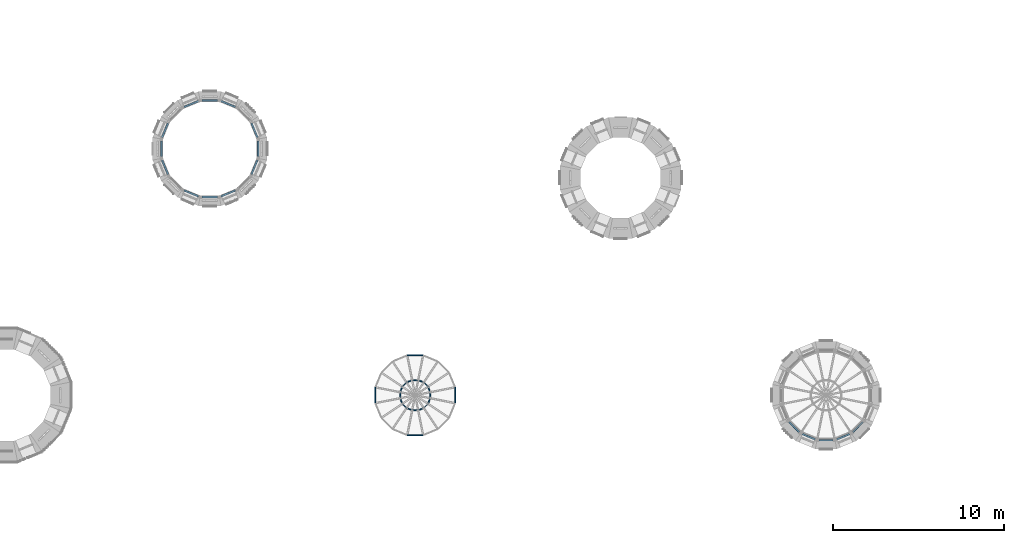
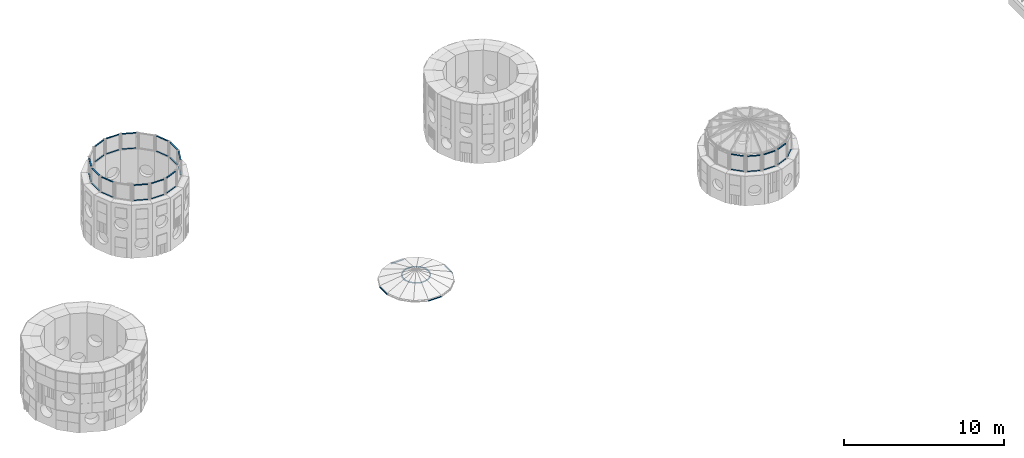
# One storey, part 19 of 42: 53 members, 17 elements without a shape of their own.
"""IFC4 building model written with IfcOpenShell, lengths in metres."""

import ifcopenshell
import ifcopenshell.guid

model = None  # the IFC model being written
_history = None  # IfcOwnerHistory: only IFC2X3 demands one
_inside = {}  # id of a spatial element -> (the spatial element, [elements in it])
_under = {}  # id of a project, library or spatial element -> (it, [spatial elements below it])
_declared = {}  # id of a project -> (the project, [libraries it declares])
_typed = {}  # id of a type object -> (the type object, [elements of that type])
_made_of = {}  # id of a material, layer set ... -> (it, [elements and type objects made of it])


def new_model(schema):
    """Start an empty IFC model of exactly this schema.

    Asked for "IFC4X3", IfcOpenShell would pick the latest addendum, in which some entities
    have other attributes; the version numbers below select the first issue.
    IFC2X3 requires an IfcOwnerHistory on every rooted entity: one is made here for all.
    """
    global model, _history
    if schema == "IFC4X3":
        model = ifcopenshell.file(schema_version=(4, 3, 0, 0))
    else:
        model = ifcopenshell.file(schema=schema)
    _inside.clear()
    _under.clear()
    _declared.clear()
    _typed.clear()
    _made_of.clear()
    _history = None
    if model.schema == "IFC2X3":
        org = make("IfcOrganization", Name="unknown")
        user = make(
            "IfcPersonAndOrganization",
            ThePerson=make("IfcPerson", FamilyName="unknown"),
            TheOrganization=org,
        )
        app = make(
            "IfcApplication",
            ApplicationDeveloper=org,
            Version="unknown",
            ApplicationFullName="unknown",
            ApplicationIdentifier="unknown",
        )
        _history = make(
            "IfcOwnerHistory",
            OwningUser=user,
            OwningApplication=app,
            ChangeAction="ADDED",
            CreationDate=0,
        )
    return model


def make(cls, **values):
    """One entity of the class cls with the attributes given. An attribute that is None is left unset."""
    return model.create_entity(
        cls, **{name: value for name, value in values.items() if value is not None}
    )


def rooted(cls, **values):
    """An entity with a GlobalId (a new one), such as an element, a storey or a relation."""
    return make(cls, GlobalId=ifcopenshell.guid.new(), OwnerHistory=_history, **values)


def si_unit(unit_type, name, prefix=None):
    """IfcSIUnit, for example si_unit("LENGTHUNIT", "METRE", prefix="MILLI")."""
    return make("IfcSIUnit", UnitType=unit_type, Prefix=prefix, Name=name)


def assignment(units):
    """IfcUnitAssignment: the units of a project."""
    return None if units is None else make("IfcUnitAssignment", Units=units)


def point(xyz):
    """IfcCartesianPoint."""
    return None if xyz is None else make("IfcCartesianPoint", Coordinates=xyz)


def direction(xyz):
    """IfcDirection."""
    return None if xyz is None else make("IfcDirection", DirectionRatios=xyz)


def frame(location, z_axis=None, x_axis=None):
    """IfcAxis2Placement3D, a coordinate frame: its origin and axes. An axis left out is left unset."""
    return make(
        "IfcAxis2Placement3D",
        Location=point(location),
        Axis=direction(z_axis),
        RefDirection=direction(x_axis),
    )


def frame_2d(location, x_axis=None):
    """IfcAxis2Placement2D, a coordinate frame in the plane: its origin and x axis."""
    return make(
        "IfcAxis2Placement2D", Location=point(location), RefDirection=direction(x_axis)
    )


def origin():
    """The frame at (0, 0, 0) with its axes left unset."""
    return frame((0.0, 0.0, 0.0))


def origin_2d():
    """The frame at (0, 0) in the plane with its x axis left unset."""
    return frame_2d((0.0, 0.0))


def place(relative_to, where):
    """IfcLocalPlacement: puts the frame where relative to a parent placement (None: the world)."""
    return make(
        "IfcLocalPlacement", PlacementRelTo=relative_to, RelativePlacement=where
    )


def context(
    kind, dimensions, precision=None, world=None, true_north=None, identifier=None
):
    """IfcGeometricRepresentationContext, for example the 3D "Model" context."""
    return make(
        "IfcGeometricRepresentationContext",
        ContextIdentifier=identifier,
        ContextType=kind,
        CoordinateSpaceDimension=dimensions,
        Precision=precision,
        WorldCoordinateSystem=world,
        TrueNorth=true_north,
    )


def subcontext(parent, identifier, kind, view, scale=None):
    """IfcGeometricRepresentationSubContext, for example "Body" below "Model"."""
    return make(
        "IfcGeometricRepresentationSubContext",
        ContextIdentifier=identifier,
        ContextType=kind,
        ParentContext=parent,
        TargetScale=scale,
        TargetView=view,
    )


def project(units=None, contexts=None):
    """IfcProject with its units and contexts."""
    return rooted(
        "IfcProject",
        Name="project",
        RepresentationContexts=contexts,
        UnitsInContext=assignment(units),
    )


def spatial(cls, under=None, at=None, **own):
    """A site, building, storey or space (cls), placed at a placement, below another one or the project."""
    s = rooted(cls, ObjectPlacement=at, **own)
    if under is not None:
        _under.setdefault(under.id(), (under, []))[1].append(s)
    return s


def profile(cls, at=None, kind="AREA", **sizes):
    """A parametric profile (cls). Its sizes go by their IFC names, for example OverallWidth=200.0."""
    return make(cls, ProfileType=kind, Position=at, **sizes)


def hollow_rectangle(**sizes):
    """IfcRectangleHollowProfileDef."""
    return profile("IfcRectangleHollowProfileDef", **sizes)


def hollow_circle(**sizes):
    """IfcCircleHollowProfileDef."""
    return profile("IfcCircleHollowProfileDef", **sizes)


def extrude(swept, where, along, depth):
    """IfcExtrudedAreaSolid: the profile swept, set in the frame where, extruded along a direction by depth."""
    return make(
        "IfcExtrudedAreaSolid",
        SweptArea=swept,
        Position=where,
        ExtrudedDirection=direction(along),
        Depth=depth,
    )


def shape(context_of_items, identifier, shape_type, items):
    """IfcShapeRepresentation: the items that make up one representation, for example the "Body"."""
    return make(
        "IfcShapeRepresentation",
        ContextOfItems=context_of_items,
        RepresentationIdentifier=identifier,
        RepresentationType=shape_type,
        Items=items,
    )


def material(Name=None, Category=None):
    """IfcMaterial."""
    return make("IfcMaterial", Name=Name, Category=Category)


def material_profile(
    of_material, cross_section, Name=None, Category=None, Priority=None
):
    """IfcMaterialProfile: a cross section and its material."""
    return make(
        "IfcMaterialProfile",
        Name=Name,
        Material=of_material,
        Profile=cross_section,
        Priority=Priority,
        Category=Category,
    )


def profile_set(profiles, Name=None, composite=None):
    """IfcMaterialProfileSet."""
    return make(
        "IfcMaterialProfileSet",
        Name=Name,
        MaterialProfiles=profiles,
        CompositeProfile=composite,
    )


def made_of(thing, what):
    """Note that an element or type object is made of a material, layer set ...; save() writes the relation."""
    if what is not None:
        _made_of.setdefault(what.id(), (what, []))[1].append(thing)
    return thing


def type_object(cls, material=None, **own):
    """A type object (cls), such as IfcWallType, which elements share."""
    return made_of(rooted(cls, **own), material)


def element(
    cls,
    number,
    at=None,
    inside=None,
    cuts=None,
    type_object=None,
    material=None,
    context=None,
    identifier="Body",
    shape_type=None,
    held_by="IfcProductDefinitionShape",
    body=None,
    shapes=None,
    **own,
):
    """One element of the class cls, such as IfcWall. Its Tag is "e" and its number.

    at: its placement. inside: the storey or other place that contains it. cuts: it is an
    opening in that element (IfcRelVoidsElement). A single representation is given by context,
    identifier, shape_type and body (its items); several are given by shapes. held_by: the class
    of the entity that holds the representations. save() writes the other relations.
    """
    e = rooted(cls, Tag="e%d" % number, ObjectPlacement=at, **own)
    if body is not None:
        shapes = [shape(context, identifier, shape_type, body)]
    if shapes is not None:
        e.Representation = make(held_by, Representations=shapes)
    if inside is not None:
        _inside.setdefault(inside.id(), (inside, []))[1].append(e)
    if cuts is not None:
        rooted(
            "IfcRelVoidsElement", RelatingBuildingElement=cuts, RelatedOpeningElement=e
        )
    if type_object is not None:
        _typed.setdefault(type_object.id(), (type_object, []))[1].append(e)
    return made_of(e, material)


def aggregate(whole, parts):
    """IfcRelAggregates: a whole, such as a stair, and the parts it consists of."""
    return rooted("IfcRelAggregates", RelatingObject=whole, RelatedObjects=parts)


def save(model, path):
    """Write the relations noted so far, then the file.

    IfcRelAggregates (storeys below a building ...), IfcRelContainedInSpatialStructure (elements
    in a storey), IfcRelDefinesByType, IfcRelAssociatesMaterial and IfcRelDeclares: one each for
    every whole, place, type object, material and project.
    """
    for whole, parts in _under.values():
        aggregate(whole, parts)
    for where, things in _inside.values():
        rooted(
            "IfcRelContainedInSpatialStructure",
            RelatedElements=things,
            RelatingStructure=where,
        )
    for kind, things in _typed.values():
        rooted("IfcRelDefinesByType", RelatedObjects=things, RelatingType=kind)
    for what, things in _made_of.values():
        rooted("IfcRelAssociatesMaterial", RelatedObjects=things, RelatingMaterial=what)
    for by, libraries in _declared.values():
        rooted("IfcRelDeclares", RelatingContext=by, RelatedDefinitions=libraries)
    model.write(path)


model = new_model("IFC4")

# Units and contexts
model_context = context("Model", 3, precision=1e-05, world=origin(), true_north=direction((0.0, 1.0)))
body_context = subcontext(model_context, "Body", "Model", "MODEL_VIEW")
ifc_project = project(units=[si_unit("LENGTHUNIT", "METRE"), si_unit("AREAUNIT", "SQUARE_METRE"), si_unit("VOLUMEUNIT", "CUBIC_METRE"), si_unit("PLANEANGLEUNIT", "RADIAN"), si_unit("MASSUNIT", "GRAM", prefix="KILO")], contexts=[model_context])

# Site, building, storey
site_placement = place(None, origin())
site = spatial("IfcSite", under=ifc_project, at=site_placement, CompositionType="ELEMENT")
building_placement = place(site_placement, origin())
building = spatial("IfcBuilding", under=site, at=building_placement, Name="Sun Court Science Centre", CompositionType="ELEMENT")
storey_placement = place(building_placement, frame((0.0, 0.0, 20.25)))
storey = spatial("IfcBuildingStorey", under=building, at=storey_placement, Name="L04", CompositionType="ELEMENT", Elevation=20.25)

# Curtain wall, members
ifc_material_1 = material(Name="Aluminium EN AW-6063 T6", Category="aluminium")
curtain_wall_type = type_object("IfcCurtainWallType", Name="Lantern clerestory curtain wall 1500", PredefinedType="NOTDEFINED", material=ifc_material_1)
curtain_wall_1_placement = place(storey_placement, origin())
curtain_wall_1 = element("IfcCurtainWall", 1, at=curtain_wall_1_placement, inside=storey, type_object=curtain_wall_type, Name="Curtain wall V2 C2 clerestory L04 01", PredefinedType="NOTDEFINED")
ifc_material_2 = material(Name="Aluminium EN AW-6063 T6", Category="aluminium")
ifc_material_profile_1 = material_profile(ifc_material_2, hollow_rectangle(XDim=0.050048828125, YDim=0.10009765625, WallThickness=0.00390625, InnerFilletRadius=0.00390625, OuterFilletRadius=0.006103515625, at=origin_2d()), Name="AL 50x100x4")
ifc_profile_set_1 = profile_set([ifc_material_profile_1], Name="Aluminium EN AW-6063 T6")
member_type_1 = type_object("IfcMemberType", Name="Curtain wall transom AL 50x100", PredefinedType="USERDEFINED", material=ifc_profile_set_1)
member_1_placement = place(storey_placement, frame((20.43408203125, 27.400146484375, 3.77490234375), z_axis=(0.382802560388, -0.92383017907, 0.0), x_axis=(0.0, 0.0, 1.0)))
member_1 = element("IfcMember", 2, at=member_1_placement, type_object=member_type_1, Name="CW4-17 transom 1.1", ObjectType="TRANSOM", PredefinedType="USERDEFINED", context=body_context, shape_type="SweptSolid", body=[
    extrude(hollow_rectangle(XDim=0.050048828125, YDim=0.10009765625, WallThickness=0.00390625, InnerFilletRadius=0.00390625, OuterFilletRadius=0.006103515625, at=origin_2d()), origin(), (0.0, 0.0, 1.0), 0.908935546875),
])
member_2_placement = place(storey_placement, frame((20.43408203125, 27.400146484375, 4.925048828125), z_axis=(0.382802560388, -0.92383017907, 0.0), x_axis=(0.0, 0.0, 1.0)))
member_2 = element("IfcMember", 3, at=member_2_placement, type_object=member_type_1, Name="CW4-17 transom 1.2", ObjectType="TRANSOM", PredefinedType="USERDEFINED", context=body_context, shape_type="SweptSolid", body=[
    extrude(hollow_rectangle(XDim=0.050048828125, YDim=0.10009765625, WallThickness=0.00390625, InnerFilletRadius=0.00390625, OuterFilletRadius=0.006103515625, at=origin_2d()), origin(), (0.0, 0.0, 1.0), 0.908935546875),
])
aggregate(curtain_wall_1, [member_1, member_2])

curtain_wall_2_placement = place(storey_placement, origin())
curtain_wall_2 = element("IfcCurtainWall", 4, at=curtain_wall_2_placement, inside=storey, type_object=curtain_wall_type, Name="Curtain wall V2 C2 clerestory L04 03", PredefinedType="NOTDEFINED")
member_3_placement = place(storey_placement, frame((18.660400390625, 28.681884765625, 3.77490234375), z_axis=(0.923925161114, -0.382573256594, 0.0), x_axis=(0.0, 0.0, 1.0)))
member_3 = element("IfcMember", 5, at=member_3_placement, type_object=member_type_1, Name="CW4-19 transom 1.1", ObjectType="TRANSOM", PredefinedType="USERDEFINED", context=body_context, shape_type="SweptSolid", body=[
    extrude(hollow_rectangle(XDim=0.050048828125, YDim=0.10009765625, WallThickness=0.00390625, InnerFilletRadius=0.00390625, OuterFilletRadius=0.006103515625, at=origin_2d()), origin(), (0.0, 0.0, 1.0), 0.90869140625),
])
member_4_placement = place(storey_placement, frame((18.660400390625, 28.681884765625, 4.925048828125), z_axis=(0.923925161114, -0.382573256594, 0.0), x_axis=(0.0, 0.0, 1.0)))
member_4 = element("IfcMember", 6, at=member_4_placement, type_object=member_type_1, Name="CW4-19 transom 1.2", ObjectType="TRANSOM", PredefinedType="USERDEFINED", context=body_context, shape_type="SweptSolid", body=[
    extrude(hollow_rectangle(XDim=0.050048828125, YDim=0.10009765625, WallThickness=0.00390625, InnerFilletRadius=0.00390625, OuterFilletRadius=0.006103515625, at=origin_2d()), origin(), (0.0, 0.0, 1.0), 0.90869140625),
])
aggregate(curtain_wall_2, [member_3, member_4])

curtain_wall_3_placement = place(storey_placement, origin())
curtain_wall_3 = element("IfcCurtainWall", 7, at=curtain_wall_3_placement, inside=storey, type_object=curtain_wall_type, Name="Curtain wall V2 C2 clerestory L04 04", PredefinedType="NOTDEFINED")
member_5_placement = place(storey_placement, frame((17.545654296875, 28.722900390625, 3.77490234375), z_axis=(1.0, 0.0, 0.0), x_axis=(0.0, 0.0, 1.0)))
member_5 = element("IfcMember", 8, at=member_5_placement, type_object=member_type_1, Name="CW4-20 transom 1.1", ObjectType="TRANSOM", PredefinedType="USERDEFINED", context=body_context, shape_type="SweptSolid", body=[
    extrude(hollow_rectangle(XDim=0.050048828125, YDim=0.10009765625, WallThickness=0.00390625, InnerFilletRadius=0.00390625, OuterFilletRadius=0.006103515625, at=origin_2d()), origin(), (0.0, 0.0, 1.0), 0.90869140625),
])
member_6_placement = place(storey_placement, frame((17.545654296875, 28.722900390625, 4.925048828125), z_axis=(1.0, 0.0, 0.0), x_axis=(0.0, 0.0, 1.0)))
member_6 = element("IfcMember", 9, at=member_6_placement, type_object=member_type_1, Name="CW4-20 transom 1.2", ObjectType="TRANSOM", PredefinedType="USERDEFINED", context=body_context, shape_type="SweptSolid", body=[
    extrude(hollow_rectangle(XDim=0.050048828125, YDim=0.10009765625, WallThickness=0.00390625, InnerFilletRadius=0.00390625, OuterFilletRadius=0.006103515625, at=origin_2d()), origin(), (0.0, 0.0, 1.0), 0.90869140625),
])
aggregate(curtain_wall_3, [member_5, member_6])

curtain_wall_4_placement = place(storey_placement, origin())
curtain_wall_4 = element("IfcCurtainWall", 10, at=curtain_wall_4_placement, inside=storey, type_object=curtain_wall_type, Name="Curtain wall V2 C2 clerestory L04 05", PredefinedType="NOTDEFINED")
member_7_placement = place(storey_placement, frame((16.5, 28.334228515625, 3.77490234375), z_axis=(0.923925161114, 0.382573256594, 0.0), x_axis=(0.0, 0.0, 1.0)))
member_7 = element("IfcMember", 11, at=member_7_placement, type_object=member_type_1, Name="CW4-21 transom 1.1", ObjectType="TRANSOM", PredefinedType="USERDEFINED", context=body_context, shape_type="SweptSolid", body=[
    extrude(hollow_rectangle(XDim=0.050048828125, YDim=0.10009765625, WallThickness=0.00390625, InnerFilletRadius=0.00390625, OuterFilletRadius=0.006103515625, at=origin_2d()), origin(), (0.0, 0.0, 1.0), 0.90869140625),
])
member_8_placement = place(storey_placement, frame((16.5, 28.334228515625, 4.925048828125), z_axis=(0.923925161114, 0.382573256594, 0.0), x_axis=(0.0, 0.0, 1.0)))
member_8 = element("IfcMember", 12, at=member_8_placement, type_object=member_type_1, Name="CW4-21 transom 1.2", ObjectType="TRANSOM", PredefinedType="USERDEFINED", context=body_context, shape_type="SweptSolid", body=[
    extrude(hollow_rectangle(XDim=0.050048828125, YDim=0.10009765625, WallThickness=0.00390625, InnerFilletRadius=0.00390625, OuterFilletRadius=0.006103515625, at=origin_2d()), origin(), (0.0, 0.0, 1.0), 0.90869140625),
])
aggregate(curtain_wall_4, [member_7, member_8])

curtain_wall_5_placement = place(storey_placement, origin())
curtain_wall_5 = element("IfcCurtainWall", 13, at=curtain_wall_5_placement, inside=storey, type_object=curtain_wall_type, Name="Curtain wall V2 C2 clerestory L04 07", PredefinedType="NOTDEFINED")
member_9_placement = place(storey_placement, frame((15.218017578125, 26.560546875, 3.77490234375), z_axis=(0.382802560388, 0.92383017907, 0.0), x_axis=(0.0, 0.0, 1.0)))
member_9 = element("IfcMember", 14, at=member_9_placement, type_object=member_type_1, Name="CW4-23 transom 1.1", ObjectType="TRANSOM", PredefinedType="USERDEFINED", context=body_context, shape_type="SweptSolid", body=[
    extrude(hollow_rectangle(XDim=0.050048828125, YDim=0.10009765625, WallThickness=0.00390625, InnerFilletRadius=0.00390625, OuterFilletRadius=0.006103515625, at=origin_2d()), origin(), (0.0, 0.0, 1.0), 0.908935546875),
])
member_10_placement = place(storey_placement, frame((15.218017578125, 26.560546875, 4.925048828125), z_axis=(0.382802560388, 0.92383017907, 0.0), x_axis=(0.0, 0.0, 1.0)))
member_10 = element("IfcMember", 15, at=member_10_placement, type_object=member_type_1, Name="CW4-23 transom 1.2", ObjectType="TRANSOM", PredefinedType="USERDEFINED", context=body_context, shape_type="SweptSolid", body=[
    extrude(hollow_rectangle(XDim=0.050048828125, YDim=0.10009765625, WallThickness=0.00390625, InnerFilletRadius=0.00390625, OuterFilletRadius=0.006103515625, at=origin_2d()), origin(), (0.0, 0.0, 1.0), 0.908935546875),
])
aggregate(curtain_wall_5, [member_9, member_10])

curtain_wall_6_placement = place(storey_placement, origin())
curtain_wall_6 = element("IfcCurtainWall", 16, at=curtain_wall_6_placement, inside=storey, type_object=curtain_wall_type, Name="Curtain wall V2 C2 clerestory L04 08", PredefinedType="NOTDEFINED")
member_11_placement = place(storey_placement, frame((15.177001953125, 25.445556640625, 3.77490234375), z_axis=(0.0, 1.0, 0.0), x_axis=(0.0, 0.0, 1.0)))
member_11 = element("IfcMember", 17, at=member_11_placement, type_object=member_type_1, Name="CW4-24 transom 1.1", ObjectType="TRANSOM", PredefinedType="USERDEFINED", context=body_context, shape_type="SweptSolid", body=[
    extrude(hollow_rectangle(XDim=0.050048828125, YDim=0.10009765625, WallThickness=0.00390625, InnerFilletRadius=0.00390625, OuterFilletRadius=0.006103515625, at=origin_2d()), origin(), (0.0, 0.0, 1.0), 0.90869140625),
])
member_12_placement = place(storey_placement, frame((15.177001953125, 25.445556640625, 4.925048828125), z_axis=(0.0, 1.0, 0.0), x_axis=(0.0, 0.0, 1.0)))
member_12 = element("IfcMember", 18, at=member_12_placement, type_object=member_type_1, Name="CW4-24 transom 1.2", ObjectType="TRANSOM", PredefinedType="USERDEFINED", context=body_context, shape_type="SweptSolid", body=[
    extrude(hollow_rectangle(XDim=0.050048828125, YDim=0.10009765625, WallThickness=0.00390625, InnerFilletRadius=0.00390625, OuterFilletRadius=0.006103515625, at=origin_2d()), origin(), (0.0, 0.0, 1.0), 0.90869140625),
])
aggregate(curtain_wall_6, [member_11, member_12])

curtain_wall_7_placement = place(storey_placement, origin())
curtain_wall_7 = element("IfcCurtainWall", 19, at=curtain_wall_7_placement, inside=storey, type_object=curtain_wall_type, Name="Curtain wall V2 C2 clerestory L04 09", PredefinedType="NOTDEFINED")
member_13_placement = place(storey_placement, frame((15.56591796875, 24.39990234375, 3.77490234375), z_axis=(-0.382802560388, 0.92383017907, 0.0), x_axis=(0.0, 0.0, 1.0)))
member_13 = element("IfcMember", 20, at=member_13_placement, type_object=member_type_1, Name="CW4-25 transom 1.1", ObjectType="TRANSOM", PredefinedType="USERDEFINED", context=body_context, shape_type="SweptSolid", body=[
    extrude(hollow_rectangle(XDim=0.050048828125, YDim=0.10009765625, WallThickness=0.00390625, InnerFilletRadius=0.00390625, OuterFilletRadius=0.006103515625, at=origin_2d()), origin(), (0.0, 0.0, 1.0), 0.908935546875),
])
member_14_placement = place(storey_placement, frame((15.56591796875, 24.39990234375, 4.925048828125), z_axis=(-0.382802560388, 0.92383017907, 0.0), x_axis=(0.0, 0.0, 1.0)))
member_14 = element("IfcMember", 21, at=member_14_placement, type_object=member_type_1, Name="CW4-25 transom 1.2", ObjectType="TRANSOM", PredefinedType="USERDEFINED", context=body_context, shape_type="SweptSolid", body=[
    extrude(hollow_rectangle(XDim=0.050048828125, YDim=0.10009765625, WallThickness=0.00390625, InnerFilletRadius=0.00390625, OuterFilletRadius=0.006103515625, at=origin_2d()), origin(), (0.0, 0.0, 1.0), 0.908935546875),
])
aggregate(curtain_wall_7, [member_13, member_14])

curtain_wall_8_placement = place(storey_placement, origin())
curtain_wall_8 = element("IfcCurtainWall", 22, at=curtain_wall_8_placement, inside=storey, type_object=curtain_wall_type, Name="Curtain wall V2 C2 clerestory L04 11", PredefinedType="NOTDEFINED")
member_15_placement = place(storey_placement, frame((17.339599609375, 23.1181640625, 3.77490234375), z_axis=(-0.923925161114, 0.382573256594, 0.0), x_axis=(0.0, 0.0, 1.0)))
member_15 = element("IfcMember", 23, at=member_15_placement, type_object=member_type_1, Name="CW4-27 transom 1.1", ObjectType="TRANSOM", PredefinedType="USERDEFINED", context=body_context, shape_type="SweptSolid", body=[
    extrude(hollow_rectangle(XDim=0.050048828125, YDim=0.10009765625, WallThickness=0.00390625, InnerFilletRadius=0.00390625, OuterFilletRadius=0.006103515625, at=origin_2d()), origin(), (0.0, 0.0, 1.0), 0.90869140625),
])
member_16_placement = place(storey_placement, frame((17.339599609375, 23.1181640625, 4.925048828125), z_axis=(-0.923925161114, 0.382573256594, 0.0), x_axis=(0.0, 0.0, 1.0)))
member_16 = element("IfcMember", 24, at=member_16_placement, type_object=member_type_1, Name="CW4-27 transom 1.2", ObjectType="TRANSOM", PredefinedType="USERDEFINED", context=body_context, shape_type="SweptSolid", body=[
    extrude(hollow_rectangle(XDim=0.050048828125, YDim=0.10009765625, WallThickness=0.00390625, InnerFilletRadius=0.00390625, OuterFilletRadius=0.006103515625, at=origin_2d()), origin(), (0.0, 0.0, 1.0), 0.90869140625),
])
aggregate(curtain_wall_8, [member_15, member_16])

curtain_wall_9_placement = place(storey_placement, origin())
curtain_wall_9 = element("IfcCurtainWall", 25, at=curtain_wall_9_placement, inside=storey, type_object=curtain_wall_type, Name="Curtain wall V2 C2 clerestory L04 12", PredefinedType="NOTDEFINED")
member_17_placement = place(storey_placement, frame((18.454345703125, 23.0771484375, 3.77490234375), z_axis=(-1.0, 0.0, 0.0), x_axis=(0.0, 0.0, 1.0)))
member_17 = element("IfcMember", 26, at=member_17_placement, type_object=member_type_1, Name="CW4-28 transom 1.1", ObjectType="TRANSOM", PredefinedType="USERDEFINED", context=body_context, shape_type="SweptSolid", body=[
    extrude(hollow_rectangle(XDim=0.050048828125, YDim=0.10009765625, WallThickness=0.00390625, InnerFilletRadius=0.00390625, OuterFilletRadius=0.006103515625, at=origin_2d()), origin(), (0.0, 0.0, 1.0), 0.90869140625),
])
member_18_placement = place(storey_placement, frame((18.454345703125, 23.0771484375, 4.925048828125), z_axis=(-1.0, 0.0, 0.0), x_axis=(0.0, 0.0, 1.0)))
member_18 = element("IfcMember", 27, at=member_18_placement, type_object=member_type_1, Name="CW4-28 transom 1.2", ObjectType="TRANSOM", PredefinedType="USERDEFINED", context=body_context, shape_type="SweptSolid", body=[
    extrude(hollow_rectangle(XDim=0.050048828125, YDim=0.10009765625, WallThickness=0.00390625, InnerFilletRadius=0.00390625, OuterFilletRadius=0.006103515625, at=origin_2d()), origin(), (0.0, 0.0, 1.0), 0.90869140625),
])
aggregate(curtain_wall_9, [member_17, member_18])

curtain_wall_10_placement = place(storey_placement, origin())
curtain_wall_10 = element("IfcCurtainWall", 28, at=curtain_wall_10_placement, inside=storey, type_object=curtain_wall_type, Name="Curtain wall V2 C2 clerestory L04 13", PredefinedType="NOTDEFINED")
member_19_placement = place(storey_placement, frame((19.5, 23.4658203125, 3.77490234375), z_axis=(-0.923925161114, -0.382573256594, 0.0), x_axis=(0.0, 0.0, 1.0)))
member_19 = element("IfcMember", 29, at=member_19_placement, type_object=member_type_1, Name="CW4-29 transom 1.1", ObjectType="TRANSOM", PredefinedType="USERDEFINED", context=body_context, shape_type="SweptSolid", body=[
    extrude(hollow_rectangle(XDim=0.050048828125, YDim=0.10009765625, WallThickness=0.00390625, InnerFilletRadius=0.00390625, OuterFilletRadius=0.006103515625, at=origin_2d()), origin(), (0.0, 0.0, 1.0), 0.90869140625),
])
member_20_placement = place(storey_placement, frame((19.5, 23.4658203125, 4.925048828125), z_axis=(-0.923925161114, -0.382573256594, 0.0), x_axis=(0.0, 0.0, 1.0)))
member_20 = element("IfcMember", 30, at=member_20_placement, type_object=member_type_1, Name="CW4-29 transom 1.2", ObjectType="TRANSOM", PredefinedType="USERDEFINED", context=body_context, shape_type="SweptSolid", body=[
    extrude(hollow_rectangle(XDim=0.050048828125, YDim=0.10009765625, WallThickness=0.00390625, InnerFilletRadius=0.00390625, OuterFilletRadius=0.006103515625, at=origin_2d()), origin(), (0.0, 0.0, 1.0), 0.90869140625),
])
aggregate(curtain_wall_10, [member_19, member_20])

curtain_wall_11_placement = place(storey_placement, origin())
curtain_wall_11 = element("IfcCurtainWall", 31, at=curtain_wall_11_placement, inside=storey, type_object=curtain_wall_type, Name="Curtain wall V2 C2 clerestory L04 15", PredefinedType="NOTDEFINED")
member_21_placement = place(storey_placement, frame((20.781982421875, 25.239501953125, 3.77490234375), z_axis=(-0.382802560388, -0.92383017907, 0.0), x_axis=(0.0, 0.0, 1.0)))
member_21 = element("IfcMember", 32, at=member_21_placement, type_object=member_type_1, Name="CW4-31 transom 1.1", ObjectType="TRANSOM", PredefinedType="USERDEFINED", context=body_context, shape_type="SweptSolid", body=[
    extrude(hollow_rectangle(XDim=0.050048828125, YDim=0.10009765625, WallThickness=0.00390625, InnerFilletRadius=0.00390625, OuterFilletRadius=0.006103515625, at=origin_2d()), origin(), (0.0, 0.0, 1.0), 0.908935546875),
])
member_22_placement = place(storey_placement, frame((20.781982421875, 25.239501953125, 4.925048828125), z_axis=(-0.382802560388, -0.92383017907, 0.0), x_axis=(0.0, 0.0, 1.0)))
member_22 = element("IfcMember", 33, at=member_22_placement, type_object=member_type_1, Name="CW4-31 transom 1.2", ObjectType="TRANSOM", PredefinedType="USERDEFINED", context=body_context, shape_type="SweptSolid", body=[
    extrude(hollow_rectangle(XDim=0.050048828125, YDim=0.10009765625, WallThickness=0.00390625, InnerFilletRadius=0.00390625, OuterFilletRadius=0.006103515625, at=origin_2d()), origin(), (0.0, 0.0, 1.0), 0.908935546875),
])
aggregate(curtain_wall_11, [member_21, member_22])

curtain_wall_12_placement = place(storey_placement, origin())
curtain_wall_12 = element("IfcCurtainWall", 34, at=curtain_wall_12_placement, inside=storey, type_object=curtain_wall_type, Name="Curtain wall V2 C2 clerestory L04 16", PredefinedType="NOTDEFINED")
member_23_placement = place(storey_placement, frame((20.822998046875, 26.354248046875, 3.77490234375), z_axis=(0.0, -1.0, 0.0), x_axis=(0.0, 0.0, 1.0)))
member_23 = element("IfcMember", 35, at=member_23_placement, type_object=member_type_1, Name="CW4-32 transom 1.1", ObjectType="TRANSOM", PredefinedType="USERDEFINED", context=body_context, shape_type="SweptSolid", body=[
    extrude(hollow_rectangle(XDim=0.050048828125, YDim=0.10009765625, WallThickness=0.00390625, InnerFilletRadius=0.00390625, OuterFilletRadius=0.006103515625, at=origin_2d()), origin(), (0.0, 0.0, 1.0), 0.90869140625),
])
member_24_placement = place(storey_placement, frame((20.822998046875, 26.354248046875, 4.925048828125), z_axis=(0.0, -1.0, 0.0), x_axis=(0.0, 0.0, 1.0)))
member_24 = element("IfcMember", 36, at=member_24_placement, type_object=member_type_1, Name="CW4-32 transom 1.2", ObjectType="TRANSOM", PredefinedType="USERDEFINED", context=body_context, shape_type="SweptSolid", body=[
    extrude(hollow_rectangle(XDim=0.050048828125, YDim=0.10009765625, WallThickness=0.00390625, InnerFilletRadius=0.00390625, OuterFilletRadius=0.006103515625, at=origin_2d()), origin(), (0.0, 0.0, 1.0), 0.90869140625),
])
aggregate(curtain_wall_12, [member_23, member_24])

curtain_wall_13_placement = place(storey_placement, origin())
curtain_wall_13 = element("IfcCurtainWall", 37, at=curtain_wall_13_placement, inside=storey, type_object=curtain_wall_type, Name="Curtain wall V2 C5 clerestory L04 10", PredefinedType="NOTDEFINED")
member_25_placement = place(storey_placement, frame((52.436279296875, 9.348876953125, 1.97509765625), z_axis=(-0.707106781187, 0.707106781187, 0.0), x_axis=(0.0, 0.0, 1.0)))
member_25 = element("IfcMember", 38, at=member_25_placement, type_object=member_type_1, Name="CW4-74 transom 1.1", ObjectType="TRANSOM", PredefinedType="USERDEFINED", context=body_context, shape_type="SweptSolid", body=[
    extrude(hollow_rectangle(XDim=0.050048828125, YDim=0.10009765625, WallThickness=0.00390625, InnerFilletRadius=0.00390625, OuterFilletRadius=0.006103515625, at=origin_2d()), origin(), (0.0, 0.0, 1.0), 0.830810546875),
])
member_26_placement = place(storey_placement, frame((52.436279296875, 9.348876953125, 3.125), z_axis=(-0.707106781187, 0.707106781187, 0.0), x_axis=(0.0, 0.0, 1.0)))
member_26 = element("IfcMember", 39, at=member_26_placement, type_object=member_type_1, Name="CW4-74 transom 1.2", ObjectType="TRANSOM", PredefinedType="USERDEFINED", context=body_context, shape_type="SweptSolid", body=[
    extrude(hollow_rectangle(XDim=0.050048828125, YDim=0.10009765625, WallThickness=0.00390625, InnerFilletRadius=0.00390625, OuterFilletRadius=0.006103515625, at=origin_2d()), origin(), (0.0, 0.0, 1.0), 0.830810546875),
])
aggregate(curtain_wall_13, [member_25, member_26])

curtain_wall_14_placement = place(storey_placement, origin())
curtain_wall_14 = element("IfcCurtainWall", 40, at=curtain_wall_14_placement, inside=storey, type_object=curtain_wall_type, Name="Curtain wall V2 C5 clerestory L04 11", PredefinedType="NOTDEFINED")
member_27_placement = place(storey_placement, frame((53.37841796875, 8.914306640625, 1.97509765625), z_axis=(-0.92386635704, 0.382715239219, 0.0), x_axis=(0.0, 0.0, 1.0)))
member_27 = element("IfcMember", 41, at=member_27_placement, type_object=member_type_1, Name="CW4-75 transom 1.1", ObjectType="TRANSOM", PredefinedType="USERDEFINED", context=body_context, shape_type="SweptSolid", body=[
    extrude(hollow_rectangle(XDim=0.050048828125, YDim=0.10009765625, WallThickness=0.00390625, InnerFilletRadius=0.00390625, OuterFilletRadius=0.006103515625, at=origin_2d()), origin(), (0.0, 0.0, 1.0), 0.83056640625),
])
member_28_placement = place(storey_placement, frame((53.37841796875, 8.914306640625, 3.125), z_axis=(-0.92386635704, 0.382715239219, 0.0), x_axis=(0.0, 0.0, 1.0)))
member_28 = element("IfcMember", 42, at=member_28_placement, type_object=member_type_1, Name="CW4-75 transom 1.2", ObjectType="TRANSOM", PredefinedType="USERDEFINED", context=body_context, shape_type="SweptSolid", body=[
    extrude(hollow_rectangle(XDim=0.050048828125, YDim=0.10009765625, WallThickness=0.00390625, InnerFilletRadius=0.00390625, OuterFilletRadius=0.006103515625, at=origin_2d()), origin(), (0.0, 0.0, 1.0), 0.83056640625),
])
aggregate(curtain_wall_14, [member_27, member_28])

curtain_wall_15_placement = place(storey_placement, origin())
curtain_wall_15 = element("IfcCurtainWall", 43, at=curtain_wall_15_placement, inside=storey, type_object=curtain_wall_type, Name="Curtain wall V2 C5 clerestory L04 12", PredefinedType="NOTDEFINED")
member_29_placement = place(storey_placement, frame((54.415283203125, 8.873291015625, 1.97509765625), z_axis=(-1.0, 0.0, 0.0), x_axis=(0.0, 0.0, 1.0)))
member_29 = element("IfcMember", 44, at=member_29_placement, type_object=member_type_1, Name="CW4-76 transom 1.1", ObjectType="TRANSOM", PredefinedType="USERDEFINED", context=body_context, shape_type="SweptSolid", body=[
    extrude(hollow_rectangle(XDim=0.050048828125, YDim=0.10009765625, WallThickness=0.00390625, InnerFilletRadius=0.00390625, OuterFilletRadius=0.006103515625, at=origin_2d()), origin(), (0.0, 0.0, 1.0), 0.83056640625),
])
member_30_placement = place(storey_placement, frame((54.415283203125, 8.873291015625, 3.125), z_axis=(-1.0, 0.0, 0.0), x_axis=(0.0, 0.0, 1.0)))
member_30 = element("IfcMember", 45, at=member_30_placement, type_object=member_type_1, Name="CW4-76 transom 1.2", ObjectType="TRANSOM", PredefinedType="USERDEFINED", context=body_context, shape_type="SweptSolid", body=[
    extrude(hollow_rectangle(XDim=0.050048828125, YDim=0.10009765625, WallThickness=0.00390625, InnerFilletRadius=0.00390625, OuterFilletRadius=0.006103515625, at=origin_2d()), origin(), (0.0, 0.0, 1.0), 0.83056640625),
])
aggregate(curtain_wall_15, [member_29, member_30])

curtain_wall_16_placement = place(storey_placement, origin())
curtain_wall_16 = element("IfcCurtainWall", 46, at=curtain_wall_16_placement, inside=storey, type_object=curtain_wall_type, Name="Curtain wall V2 C5 clerestory L04 13", PredefinedType="NOTDEFINED")
member_31_placement = place(storey_placement, frame((55.388916015625, 9.232177734375, 1.97509765625), z_axis=(-0.92386635704, -0.382715239219, 0.0), x_axis=(0.0, 0.0, 1.0)))
member_31 = element("IfcMember", 47, at=member_31_placement, type_object=member_type_1, Name="CW4-77 transom 1.1", ObjectType="TRANSOM", PredefinedType="USERDEFINED", context=body_context, shape_type="SweptSolid", body=[
    extrude(hollow_rectangle(XDim=0.050048828125, YDim=0.10009765625, WallThickness=0.00390625, InnerFilletRadius=0.00390625, OuterFilletRadius=0.006103515625, at=origin_2d()), origin(), (0.0, 0.0, 1.0), 0.83056640625),
])
member_32_placement = place(storey_placement, frame((55.388916015625, 9.232177734375, 3.125), z_axis=(-0.92386635704, -0.382715239219, 0.0), x_axis=(0.0, 0.0, 1.0)))
member_32 = element("IfcMember", 48, at=member_32_placement, type_object=member_type_1, Name="CW4-77 transom 1.2", ObjectType="TRANSOM", PredefinedType="USERDEFINED", context=body_context, shape_type="SweptSolid", body=[
    extrude(hollow_rectangle(XDim=0.050048828125, YDim=0.10009765625, WallThickness=0.00390625, InnerFilletRadius=0.00390625, OuterFilletRadius=0.006103515625, at=origin_2d()), origin(), (0.0, 0.0, 1.0), 0.83056640625),
])
aggregate(curtain_wall_16, [member_31, member_32])

# Curtain wall, member
curtain_wall_17_placement = place(storey_placement, origin())
curtain_wall_17 = element("IfcCurtainWall", 49, at=curtain_wall_17_placement, inside=storey, type_object=curtain_wall_type, Name="Curtain wall V2 C5 clerestory L04 14", PredefinedType="NOTDEFINED")
member_33_placement = place(storey_placement, frame((56.151123046875, 9.936279296875, 1.97509765625), z_axis=(-0.707106781187, -0.707106781187, 0.0), x_axis=(0.0, 0.0, 1.0)))
member_33 = element("IfcMember", 50, at=member_33_placement, type_object=member_type_1, Name="CW4-78 transom 1.1", ObjectType="TRANSOM", PredefinedType="USERDEFINED", context=body_context, shape_type="SweptSolid", body=[
    extrude(hollow_rectangle(XDim=0.050048828125, YDim=0.10009765625, WallThickness=0.00390625, InnerFilletRadius=0.00390625, OuterFilletRadius=0.006103515625, at=origin_2d()), origin(), (0.0, 0.0, 1.0), 0.830810546875),
])
aggregate(curtain_wall_17, [member_33])

# Members
ifc_material_3 = material(Name="Steel S355", Category="steel")
ifc_material_profile_2 = material_profile(ifc_material_3, hollow_circle(Radius=0.04443359375, WallThickness=0.0048828125, at=origin_2d()), Name="CHS 88.9x5")
ifc_profile_set_2 = profile_set([ifc_material_profile_2], Name="Steel S355")
member_type_2 = type_object("IfcMemberType", Name="Lantern base ring CHS 88.9x5", PredefinedType="CHORD", material=ifc_profile_set_2)
for number, where, z_axis, x_axis, name in (
    (51, (30.4658203125, 13.84228515625, 0.1943359375), (-1.0, 0.0, 0.0), (0.0, -1.0, 0.0), "Cone 3 lantern base ring 4"),
    (52, (27.65771484375, 11.9658203125, 0.1943359375), (0.0, -1.0, 0.0), (1.0, 0.0, 0.0), "Cone 3 lantern base ring 8"),
    (53, (29.5341796875, 9.15771484375, 0.1943359375), (1.0, 0.0, 0.0), (0.0, 1.0, 0.0), "Cone 3 lantern base ring 12"),
    (54, (32.34228515625, 11.0341796875, 0.1943359375), (0.0, 1.0, 0.0), (-1.0, 0.0, 0.0), "Cone 3 lantern base ring 16"),
):
    element("IfcMember", number, at=place(storey_placement, frame(where, z_axis=z_axis, x_axis=x_axis)), inside=storey, type_object=member_type_2, Name=name, PredefinedType="CHORD", context=body_context, shape_type="SweptSolid", body=[
        extrude(hollow_circle(Radius=0.04443359375, WallThickness=0.0048828125, at=origin_2d()), origin(), (0.0, 0.0, 1.0), 0.931640625),
    ])
ifc_material_4 = material(Name="Steel S355", Category="steel")
ifc_material_profile_3 = material_profile(ifc_material_4, hollow_circle(Radius=0.030029296875, WallThickness=0.0048828125, at=origin_2d()), Name="CHS 60.3x5")
ifc_profile_set_3 = profile_set([ifc_material_profile_3], Name="Steel S355")
member_type_3 = type_object("IfcMemberType", Name="Lantern vent ring CHS 60.3x5", PredefinedType="CHORD", material=ifc_profile_set_3)
member_34_placement = place(storey_placement, frame((30.8828125, 11.675537109375, 0.610107421875), z_axis=(-0.382986090474, 0.923754109329, 0.0), x_axis=(-0.923754109329, -0.382986090474, 0.0)))
element("IfcMember", 55, at=member_34_placement, inside=storey, type_object=member_type_3, Name="Cone 3 lantern vent ring 1", PredefinedType="CHORD", context=body_context, shape_type="SweptSolid", body=[
    extrude(hollow_circle(Radius=0.030029296875, WallThickness=0.0048828125, at=origin_2d()), origin(), (0.0, 0.0, 1.0), 0.351318359375),
])
member_35_placement = place(storey_placement, frame((30.748291015625, 12.0, 0.610107421875), z_axis=(-0.707106781187, 0.707106781187, 0.0), x_axis=(-0.707106781187, -0.707106781187, 0.0)))
element("IfcMember", 56, at=member_35_placement, inside=storey, type_object=member_type_3, Name="Cone 3 lantern vent ring 2", PredefinedType="CHORD", context=body_context, shape_type="SweptSolid", body=[
    extrude(hollow_circle(Radius=0.030029296875, WallThickness=0.0048828125, at=origin_2d()), origin(), (0.0, 0.0, 1.0), 0.35107421875),
])
member_36_placement = place(storey_placement, frame((30.5, 12.248291015625, 0.610107421875), z_axis=(-0.923754109329, 0.382986090474, 0.0), x_axis=(-0.382986090474, -0.923754109329, 0.0)))
element("IfcMember", 57, at=member_36_placement, inside=storey, type_object=member_type_3, Name="Cone 3 lantern vent ring 3", PredefinedType="CHORD", context=body_context, shape_type="SweptSolid", body=[
    extrude(hollow_circle(Radius=0.030029296875, WallThickness=0.0048828125, at=origin_2d()), origin(), (0.0, 0.0, 1.0), 0.351318359375),
])
member_37_placement = place(storey_placement, frame((30.175537109375, 12.3828125, 0.610107421875), z_axis=(-1.0, 0.0, 0.0), x_axis=(0.0, -1.0, 0.0)))
element("IfcMember", 58, at=member_37_placement, inside=storey, type_object=member_type_3, Name="Cone 3 lantern vent ring 4", PredefinedType="CHORD", context=body_context, shape_type="SweptSolid", body=[
    extrude(hollow_circle(Radius=0.030029296875, WallThickness=0.0048828125, at=origin_2d()), origin(), (0.0, 0.0, 1.0), 0.35107421875),
])
member_38_placement = place(storey_placement, frame((29.824462890625, 12.3828125, 0.610107421875), z_axis=(-0.923754109329, -0.382986090474, 0.0), x_axis=(0.382986090474, -0.923754109329, 0.0)))
element("IfcMember", 59, at=member_38_placement, inside=storey, type_object=member_type_3, Name="Cone 3 lantern vent ring 5", PredefinedType="CHORD", context=body_context, shape_type="SweptSolid", body=[
    extrude(hollow_circle(Radius=0.030029296875, WallThickness=0.0048828125, at=origin_2d()), origin(), (0.0, 0.0, 1.0), 0.351318359375),
])
member_39_placement = place(storey_placement, frame((29.5, 12.248291015625, 0.610107421875), z_axis=(-0.707106781187, -0.707106781187, 0.0), x_axis=(0.707106781187, -0.707106781187, 0.0)))
element("IfcMember", 60, at=member_39_placement, inside=storey, type_object=member_type_3, Name="Cone 3 lantern vent ring 6", PredefinedType="CHORD", context=body_context, shape_type="SweptSolid", body=[
    extrude(hollow_circle(Radius=0.030029296875, WallThickness=0.0048828125, at=origin_2d()), origin(), (0.0, 0.0, 1.0), 0.35107421875),
])
member_40_placement = place(storey_placement, frame((29.251708984375, 12.0, 0.610107421875), z_axis=(-0.382986090474, -0.923754109329, 0.0), x_axis=(0.923754109329, -0.382986090474, 0.0)))
element("IfcMember", 61, at=member_40_placement, inside=storey, type_object=member_type_3, Name="Cone 3 lantern vent ring 7", PredefinedType="CHORD", context=body_context, shape_type="SweptSolid", body=[
    extrude(hollow_circle(Radius=0.030029296875, WallThickness=0.0048828125, at=origin_2d()), origin(), (0.0, 0.0, 1.0), 0.351318359375),
])
member_41_placement = place(storey_placement, frame((29.1171875, 11.675537109375, 0.610107421875), z_axis=(0.0, -1.0, 0.0), x_axis=(1.0, 0.0, 0.0)))
element("IfcMember", 62, at=member_41_placement, inside=storey, type_object=member_type_3, Name="Cone 3 lantern vent ring 8", PredefinedType="CHORD", context=body_context, shape_type="SweptSolid", body=[
    extrude(hollow_circle(Radius=0.030029296875, WallThickness=0.0048828125, at=origin_2d()), origin(), (0.0, 0.0, 1.0), 0.35107421875),
])
member_42_placement = place(storey_placement, frame((29.1171875, 11.324462890625, 0.610107421875), z_axis=(0.382986090474, -0.923754109329, 0.0), x_axis=(0.923754109329, 0.382986090474, 0.0)))
element("IfcMember", 63, at=member_42_placement, inside=storey, type_object=member_type_3, Name="Cone 3 lantern vent ring 9", PredefinedType="CHORD", context=body_context, shape_type="SweptSolid", body=[
    extrude(hollow_circle(Radius=0.030029296875, WallThickness=0.0048828125, at=origin_2d()), origin(), (0.0, 0.0, 1.0), 0.351318359375),
])
member_43_placement = place(storey_placement, frame((29.251708984375, 11.0, 0.610107421875), z_axis=(0.707106781187, -0.707106781187, 0.0), x_axis=(0.707106781187, 0.707106781187, 0.0)))
element("IfcMember", 64, at=member_43_placement, inside=storey, type_object=member_type_3, Name="Cone 3 lantern vent ring 10", PredefinedType="CHORD", context=body_context, shape_type="SweptSolid", body=[
    extrude(hollow_circle(Radius=0.030029296875, WallThickness=0.0048828125, at=origin_2d()), origin(), (0.0, 0.0, 1.0), 0.35107421875),
])
member_44_placement = place(storey_placement, frame((29.5, 10.751708984375, 0.610107421875), z_axis=(0.923754109329, -0.382986090474, 0.0), x_axis=(0.382986090474, 0.923754109329, 0.0)))
element("IfcMember", 65, at=member_44_placement, inside=storey, type_object=member_type_3, Name="Cone 3 lantern vent ring 11", PredefinedType="CHORD", context=body_context, shape_type="SweptSolid", body=[
    extrude(hollow_circle(Radius=0.030029296875, WallThickness=0.0048828125, at=origin_2d()), origin(), (0.0, 0.0, 1.0), 0.351318359375),
])
member_45_placement = place(storey_placement, frame((29.824462890625, 10.6171875, 0.610107421875), z_axis=(1.0, 0.0, 0.0), x_axis=(0.0, 1.0, 0.0)))
element("IfcMember", 66, at=member_45_placement, inside=storey, type_object=member_type_3, Name="Cone 3 lantern vent ring 12", PredefinedType="CHORD", context=body_context, shape_type="SweptSolid", body=[
    extrude(hollow_circle(Radius=0.030029296875, WallThickness=0.0048828125, at=origin_2d()), origin(), (0.0, 0.0, 1.0), 0.35107421875),
])
member_46_placement = place(storey_placement, frame((30.175537109375, 10.6171875, 0.610107421875), z_axis=(0.923754109329, 0.382986090474, 0.0), x_axis=(-0.382986090474, 0.923754109329, 0.0)))
element("IfcMember", 67, at=member_46_placement, inside=storey, type_object=member_type_3, Name="Cone 3 lantern vent ring 13", PredefinedType="CHORD", context=body_context, shape_type="SweptSolid", body=[
    extrude(hollow_circle(Radius=0.030029296875, WallThickness=0.0048828125, at=origin_2d()), origin(), (0.0, 0.0, 1.0), 0.351318359375),
])
member_47_placement = place(storey_placement, frame((30.5, 10.751708984375, 0.610107421875), z_axis=(0.707106781187, 0.707106781187, 0.0), x_axis=(-0.707106781187, 0.707106781187, 0.0)))
element("IfcMember", 68, at=member_47_placement, inside=storey, type_object=member_type_3, Name="Cone 3 lantern vent ring 14", PredefinedType="CHORD", context=body_context, shape_type="SweptSolid", body=[
    extrude(hollow_circle(Radius=0.030029296875, WallThickness=0.0048828125, at=origin_2d()), origin(), (0.0, 0.0, 1.0), 0.35107421875),
])
member_48_placement = place(storey_placement, frame((30.748291015625, 11.0, 0.610107421875), z_axis=(0.382986090474, 0.923754109329, 0.0), x_axis=(-0.923754109329, 0.382986090474, 0.0)))
element("IfcMember", 69, at=member_48_placement, inside=storey, type_object=member_type_3, Name="Cone 3 lantern vent ring 15", PredefinedType="CHORD", context=body_context, shape_type="SweptSolid", body=[
    extrude(hollow_circle(Radius=0.030029296875, WallThickness=0.0048828125, at=origin_2d()), origin(), (0.0, 0.0, 1.0), 0.351318359375),
])
member_49_placement = place(storey_placement, frame((30.8828125, 11.324462890625, 0.610107421875), z_axis=(0.0, 1.0, 0.0), x_axis=(-1.0, 0.0, 0.0)))
element("IfcMember", 70, at=member_49_placement, inside=storey, type_object=member_type_3, Name="Cone 3 lantern vent ring 16", PredefinedType="CHORD", context=body_context, shape_type="SweptSolid", body=[
    extrude(hollow_circle(Radius=0.030029296875, WallThickness=0.0048828125, at=origin_2d()), origin(), (0.0, 0.0, 1.0), 0.35107421875),
])

save(model, "model.ifc")
